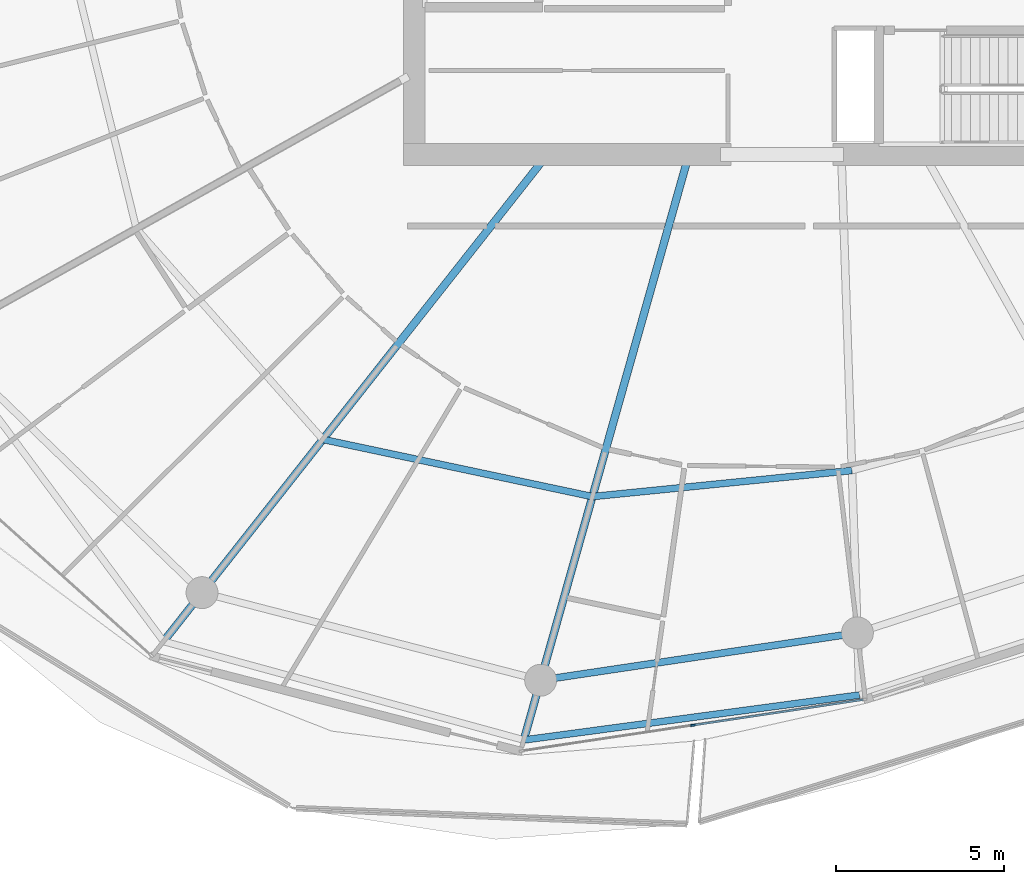
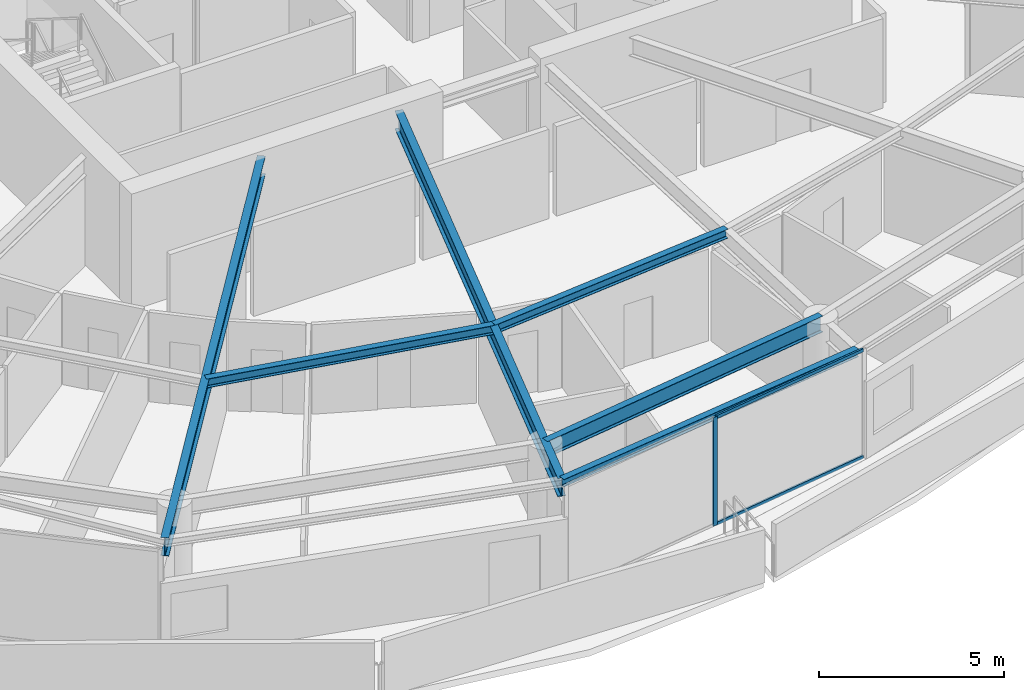
# One storey, part 7 of 31: 6 beams, 3 members, 1 element without a shape of its own.
"""IFC4 building model written with IfcOpenShell, lengths in metres."""

from ifc_helpers import new_model, si_unit, direction, frame, origin, origin_2d, place, context, subcontext, project, spatial, rectangle, i_section, extrude, material, layer, layer_set, material_profile, profile_set, type_object, element, aggregate, save


model = new_model("IFC4")

# Units and contexts
model_context = context("Model", 3, precision=1e-05, world=origin(), true_north=direction((0.0, 1.0)))
body_context = subcontext(model_context, "Body", "Model", "MODEL_VIEW")
ifc_project = project(units=[si_unit("LENGTHUNIT", "METRE"), si_unit("AREAUNIT", "SQUARE_METRE"), si_unit("VOLUMEUNIT", "CUBIC_METRE"), si_unit("PLANEANGLEUNIT", "RADIAN"), si_unit("MASSUNIT", "GRAM", prefix="KILO")], contexts=[model_context])

# Site, building, storey
site_placement = place(None, origin())
site = spatial("IfcSite", under=ifc_project, at=site_placement, CompositionType="ELEMENT")
building_placement = place(site_placement, origin())
building = spatial("IfcBuilding", under=site, at=building_placement, Name="Kazma Halo Residences", CompositionType="ELEMENT")
storey_placement = place(building_placement, frame((0.0, 0.0, 240.550048828125)))
storey = spatial("IfcBuildingStorey", under=building, at=storey_placement, Name="L60", CompositionType="ELEMENT", Elevation=240.550048828125)

# Beams
ifc_material_1 = material(Name="Steel S355", Category="steel")
ifc_material_profile_1 = material_profile(ifc_material_1, i_section(OverallWidth=0.201904296875, OverallDepth=0.2470703125, WebThickness=0.00732421875, FlangeThickness=0.010986328125, FilletRadius=0.011962890625, at=origin_2d()), Name="W250x49.1")
ifc_profile_set_1 = profile_set([ifc_material_profile_1], Name="Steel S355")
beam_type_1 = type_object("IfcBeamType", Name="BM-BAL-CANT", PredefinedType="BEAM", material=ifc_profile_set_1)
beam_1_placement = place(storey_placement, frame((40.73486328125, 16.239990234375, 3.466552734375), z_axis=(0.991137416918, 0.132840584106, 0.0), x_axis=(-0.132840584106, 0.991137416918, 0.0)))
element("IfcBeam", 1, at=beam_1_placement, inside=storey, type_object=beam_type_1, Name="L60 wave-balcony tie beam 11", PredefinedType="BEAM", context=body_context, shape_type="SweptSolid", body=[
    extrude(i_section(OverallWidth=0.201904296875, OverallDepth=0.2470703125, WebThickness=0.00732421875, FlangeThickness=0.010986328125, FilletRadius=0.011962890625, at=origin_2d()), origin(), (0.0, 0.0, 1.0), 10.087890625),
])
ifc_material_profile_2 = material_profile(ifc_material_1, i_section(OverallWidth=0.22802734375, OverallDepth=0.60791015625, WebThickness=0.01123046875, FlangeThickness=0.017333984375, FilletRadius=0.01806640625, at=origin_2d()), Name="W610x113")
ifc_profile_set_2 = profile_set([ifc_material_profile_2], Name="Steel S355")
beam_type_2 = type_object("IfcBeamType", Name="BM-RAD-W610", PredefinedType="BEAM", material=ifc_profile_set_2)
beam_2_placement = place(storey_placement, frame((41.299072265625, 33.5, 3.285888671875), z_axis=(-0.6190864347, -0.785322854863, 0.0), x_axis=(0.785322854863, -0.6190864347, 0.0)))
element("IfcBeam", 2, at=beam_2_placement, inside=storey, type_object=beam_type_2, Name="L60 radial floor beam 10", PredefinedType="BEAM", context=body_context, shape_type="SweptSolid", body=[
    extrude(i_section(OverallWidth=0.22802734375, OverallDepth=0.60791015625, WebThickness=0.01123046875, FlangeThickness=0.017333984375, FilletRadius=0.01806640625, at=origin_2d()), origin(), (0.0, 0.0, 1.0), 18.239013671875),
])
beam_3_placement = place(storey_placement, frame((45.602783203125, 33.5, 3.285888671875), z_axis=(-0.271445290974, -0.962453871107, 0.0), x_axis=(0.962453871107, -0.271445290974, 0.0)))
element("IfcBeam", 3, at=beam_3_placement, inside=storey, type_object=beam_type_2, Name="L60 radial floor beam 11", PredefinedType="BEAM", context=body_context, shape_type="SweptSolid", body=[
    extrude(i_section(OverallWidth=0.22802734375, OverallDepth=0.60791015625, WebThickness=0.01123046875, FlangeThickness=0.017333984375, FilletRadius=0.01806640625, at=origin_2d()), origin(), (0.0, 0.0, 1.0), 17.933349609375),
])
ifc_material_profile_3 = material_profile(ifc_material_1, i_section(OverallWidth=0.202880859375, OverallDepth=0.302978515625, WebThickness=0.007568359375, FlangeThickness=0.01318359375, FilletRadius=0.013916015625, at=origin_2d()), Name="W310x60")
ifc_profile_set_3 = profile_set([ifc_material_profile_3], Name="Steel S355")
beam_type_3 = type_object("IfcBeamType", Name="BM-SEC-W310A", PredefinedType="JOIST", material=ifc_profile_set_3)
beam_4_placement = place(storey_placement, frame((34.75, 25.1923828125, 3.4384765625), z_axis=(0.978235588777, -0.207497308055, 0.0), x_axis=(0.207497308055, 0.978235588777, 0.0)))
element("IfcBeam", 4, at=beam_4_placement, inside=storey, type_object=beam_type_3, Name="L60 circumferential floor joist 10", PredefinedType="JOIST", context=body_context, shape_type="SweptSolid", body=[
    extrude(i_section(OverallWidth=0.202880859375, OverallDepth=0.302978515625, WebThickness=0.007568359375, FlangeThickness=0.01318359375, FilletRadius=0.013916015625, at=origin_2d()), origin(), (0.0, 0.0, 1.0), 8.2080078125),
])
beam_5_placement = place(storey_placement, frame((42.779296875, 23.4892578125, 3.4384765625), z_axis=(0.994981653225, 0.10005753218, 0.0), x_axis=(-0.10005753218, 0.994981653225, 0.0)))
element("IfcBeam", 5, at=beam_5_placement, inside=storey, type_object=beam_type_3, Name="L60 circumferential floor joist 11", PredefinedType="JOIST", context=body_context, shape_type="SweptSolid", body=[
    extrude(i_section(OverallWidth=0.202880859375, OverallDepth=0.302978515625, WebThickness=0.007568359375, FlangeThickness=0.01318359375, FilletRadius=0.013916015625, at=origin_2d()), origin(), (0.0, 0.0, 1.0), 7.76904296875),
])
ifc_material_profile_4 = material_profile(ifc_material_1, i_section(OverallWidth=0.208984375, OverallDepth=0.532958984375, WebThickness=0.01025390625, FlangeThickness=0.015625, FilletRadius=0.01611328125, at=origin_2d()), Name="W530x92")
ifc_profile_set_4 = profile_set([ifc_material_profile_4], Name="Steel S355")
beam_type_4 = type_object("IfcBeamType", Name="BM-SPN-W530", PredefinedType="BEAM", material=ifc_profile_set_4)
beam_6_placement = place(storey_placement, frame((41.237060546875, 18.0205078125, 3.323486328125), z_axis=(0.989035441627, 0.147678350495, 0.0), x_axis=(-0.147678350495, 0.989035441627, 0.0)))
element("IfcBeam", 6, at=beam_6_placement, inside=storey, type_object=beam_type_4, Name="L60 perimeter ring beam 11", PredefinedType="BEAM", context=body_context, shape_type="SweptSolid", body=[
    extrude(i_section(OverallWidth=0.208984375, OverallDepth=0.532958984375, WebThickness=0.01025390625, FlangeThickness=0.015625, FilletRadius=0.01611328125, at=origin_2d()), origin(), (0.0, 0.0, 1.0), 9.538818359375),
])

# Curtain wall, members
ifc_material_2 = material(Name="Aluminium AW-6063 T6 and Triple-Silver Low-E Glass", Category="aluminium")
ifc_layer = layer(ifc_material_2, 0.139892578125)
ifc_layer_set = layer_set([ifc_layer], Name="Aluminium AW-6063 T6 and Triple-Silver Low-E Glass")
curtain_wall_type = type_object("IfcCurtainWallType", Name="CW-SYS-5", PredefinedType="NOTDEFINED", material=ifc_layer_set)
curtain_wall_placement = place(storey_placement, origin())
curtain_wall = element("IfcCurtainWall", 7, at=curtain_wall_placement, inside=storey, type_object=curtain_wall_type, Name="L60 unitised curtain wall B11", PredefinedType="NOTDEFINED")
ifc_material_3 = material(Name="Aluminium AW-6063 T6", Category="aluminium")
ifc_material_profile_5 = material_profile(ifc_material_3, rectangle(XDim=0.06005859375, YDim=0.139892578125, at=origin_2d()), Name="CWM-60x140")
ifc_profile_set_5 = profile_set([ifc_material_profile_5], Name="Aluminium AW-6063 T6")
member_type_1 = type_object("IfcMemberType", Name="CW-SYS-5-MUL", PredefinedType="MULLION", material=ifc_profile_set_5)
member_1_placement = place(storey_placement, frame((45.7734375, 16.679931640625, 0.0), z_axis=(0.0, 0.0, 1.0), x_axis=(-0.148697080374, 0.988882792998, 0.0)))
member_1 = element("IfcMember", 8, at=member_1_placement, type_object=member_type_1, Name="CWS-5 mullion 2", PredefinedType="MULLION", context=body_context, shape_type="SweptSolid", body=[
    extrude(rectangle(XDim=0.06005859375, YDim=0.139892578125, at=origin_2d()), origin(), (0.0, 0.0, 1.0), 3.58984375),
])
ifc_material_profile_6 = material_profile(ifc_material_3, rectangle(XDim=0.06005859375, YDim=0.10498046875, at=origin_2d()), Name="CWT-60x105")
ifc_profile_set_6 = profile_set([ifc_material_profile_6], Name="Aluminium AW-6063 T6")
member_type_2 = type_object("IfcMemberType", Name="CW-SYS-5-TRN", PredefinedType="USERDEFINED", material=ifc_profile_set_6)
member_2_placement = place(storey_placement, frame((45.80322265625, 16.6845703125, 0.030029296875), z_axis=(0.988882913569, 0.148696278541, 0.0), x_axis=(-0.148696278541, 0.988882913569, 0.0)))
member_2 = element("IfcMember", 9, at=member_2_placement, type_object=member_type_2, Name="CWS-5 transom 2.1", ObjectType="TRANSOM", PredefinedType="USERDEFINED", context=body_context, shape_type="SweptSolid", body=[
    extrude(rectangle(XDim=0.06005859375, YDim=0.10498046875, at=origin_2d()), origin(), (0.0, 0.0, 1.0), 5.099609375),
])
member_3_placement = place(storey_placement, frame((45.80322265625, 16.6845703125, 3.56005859375), z_axis=(0.988882913569, 0.148696278541, 0.0), x_axis=(-0.148696278541, 0.988882913569, 0.0)))
member_3 = element("IfcMember", 10, at=member_3_placement, type_object=member_type_2, Name="CWS-5 transom 2.2", ObjectType="TRANSOM", PredefinedType="USERDEFINED", context=body_context, shape_type="SweptSolid", body=[
    extrude(rectangle(XDim=0.06005859375, YDim=0.10498046875, at=origin_2d()), origin(), (0.0, 0.0, 1.0), 5.099609375),
])
aggregate(curtain_wall, [member_1, member_2, member_3])

save(model, "model.ifc")
